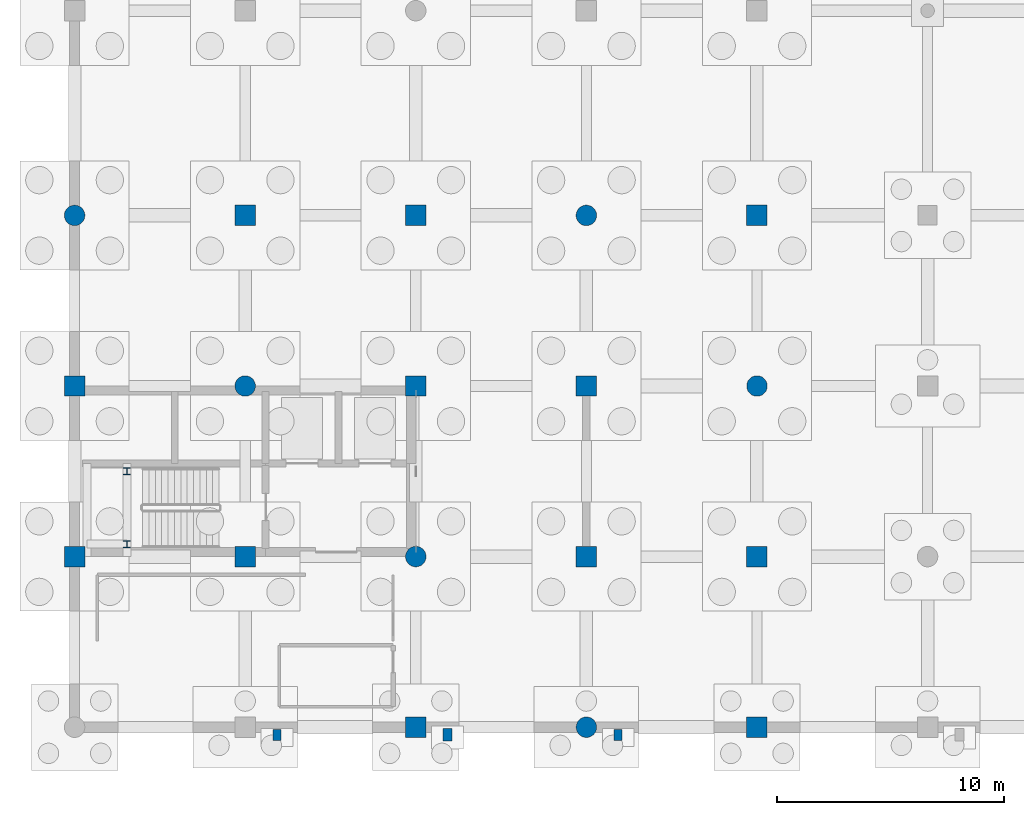
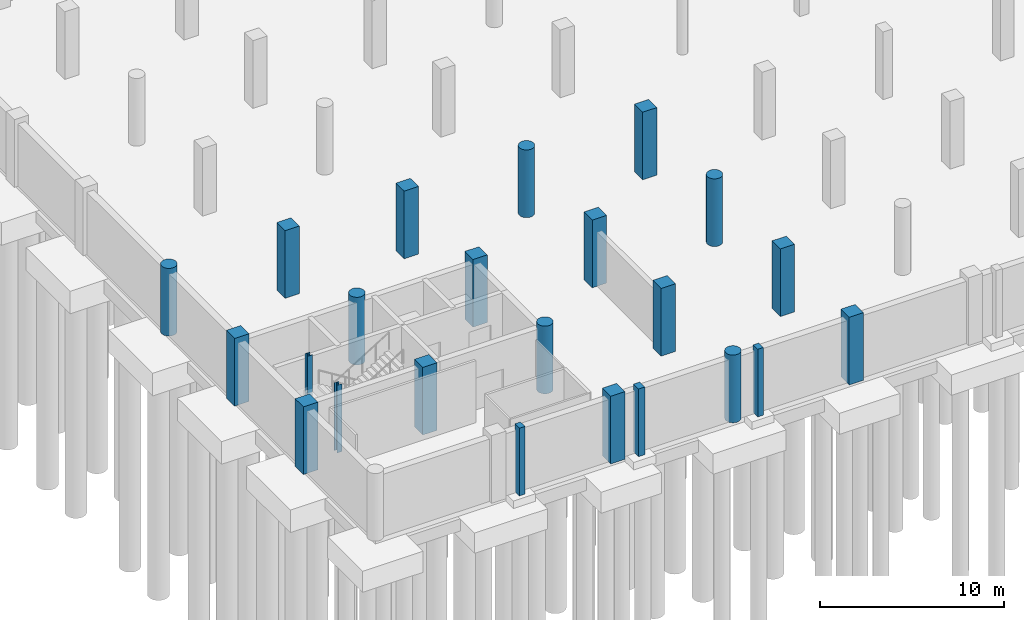
# One storey, part 16 of 42: 23 columns.
"""IFC4 building model written with IfcOpenShell, lengths in metres."""

from ifc_helpers import new_model, si_unit, direction, frame, origin, origin_2d, place, context, subcontext, project, spatial, rectangle, circle, i_section, extrude, material, material_profile, profile_set, type_object, element, save


model = new_model("IFC4")

# Units and contexts
model_context = context("Model", 3, precision=1e-05, world=origin(), true_north=direction((0.0, 1.0)))
body_context = subcontext(model_context, "Body", "Model", "MODEL_VIEW")
ifc_project = project(units=[si_unit("LENGTHUNIT", "METRE"), si_unit("AREAUNIT", "SQUARE_METRE"), si_unit("VOLUMEUNIT", "CUBIC_METRE"), si_unit("PLANEANGLEUNIT", "RADIAN"), si_unit("MASSUNIT", "GRAM", prefix="KILO")], contexts=[model_context])

# Site, building, storey
site_placement = place(None, origin())
site = spatial("IfcSite", under=ifc_project, at=site_placement, CompositionType="ELEMENT")
building_placement = place(site_placement, origin())
building = spatial("IfcBuilding", under=site, at=building_placement, Name="Dalvernix Boulevard General Hospital", CompositionType="ELEMENT")
storey_placement = place(building_placement, frame((0.0, 0.0, -4.5)))
storey = spatial("IfcBuildingStorey", under=building, at=storey_placement, Name="B1", CompositionType="ELEMENT", Elevation=-4.5)

# Columns
ifc_material_1 = material(Name="Concrete C40/50", Category="concrete")
ifc_material_profile_1 = material_profile(ifc_material_1, rectangle(XDim=0.89990234375, YDim=0.89990234375, at=origin_2d()), Name="RC 900x900")
ifc_profile_set_1 = profile_set([ifc_material_profile_1], Name="Concrete C40/50")
column_type_1 = type_object("IfcColumnType", Name="COL-C-01-E", PredefinedType="COLUMN", material=ifc_profile_set_1)
for number, where, z_axis, x_axis, name in (
    (1, (0.0, 7.5, 0.0), (0.0, 0.0, 1.0), (1.0, 0.0, 0.0), "B1 column 1B"),
    (2, (0.0, 15.0, 0.0), (0.0, 0.0, 1.0), (1.0, 0.0, 0.0), "B1 column 1C"),
    (3, (15.0, 0.0, 0.0), (0.0, 0.0, 1.0), (1.0, 0.0, 0.0), "B1 column 3A"),
    (4, (30.0, 0.0, 0.0), (0.0, 0.0, 1.0), (1.0, 0.0, 0.0), "B1 column 5A"),
):
    element("IfcColumn", number, at=place(storey_placement, frame(where, z_axis=z_axis, x_axis=x_axis)), inside=storey, type_object=column_type_1, Name=name, PredefinedType="COLUMN", context=body_context, shape_type="SweptSolid", body=[
        extrude(rectangle(XDim=0.89990234375, YDim=0.89990234375, at=origin_2d()), origin(), (0.0, 0.0, 1.0), 4.5),
    ])
ifc_material_profile_2 = material_profile(ifc_material_1, rectangle(XDim=0.89990234375, YDim=0.89990234375, at=origin_2d()), Name="RC 900x900")
ifc_profile_set_2 = profile_set([ifc_material_profile_2], Name="Concrete C40/50")
column_type_2 = type_object("IfcColumnType", Name="COL-C-01-I", PredefinedType="COLUMN", material=ifc_profile_set_2)
for number, where, z_axis, x_axis, name in (
    (5, (7.5, 7.5, 0.0), (0.0, 0.0, 1.0), (1.0, 0.0, 0.0), "B1 column 2B"),
    (6, (7.5, 22.5, 0.0), (0.0, 0.0, 1.0), (1.0, 0.0, 0.0), "B1 column 2D"),
    (7, (15.0, 15.0, 0.0), (0.0, 0.0, 1.0), (1.0, 0.0, 0.0), "B1 column 3C"),
    (8, (15.0, 22.5, 0.0), (0.0, 0.0, 1.0), (1.0, 0.0, 0.0), "B1 column 3D"),
    (9, (22.5, 7.5, 0.0), (0.0, 0.0, 1.0), (1.0, 0.0, 0.0), "B1 column 4B"),
    (10, (22.5, 15.0, 0.0), (0.0, 0.0, 1.0), (1.0, 0.0, 0.0), "B1 column 4C"),
    (11, (30.0, 7.5, 0.0), (0.0, 0.0, 1.0), (1.0, 0.0, 0.0), "B1 column 5B"),
    (12, (30.0, 22.5, 0.0), (0.0, 0.0, 1.0), (1.0, 0.0, 0.0), "B1 column 5D"),
):
    element("IfcColumn", number, at=place(storey_placement, frame(where, z_axis=z_axis, x_axis=x_axis)), inside=storey, type_object=column_type_2, Name=name, PredefinedType="COLUMN", context=body_context, shape_type="SweptSolid", body=[
        extrude(rectangle(XDim=0.89990234375, YDim=0.89990234375, at=origin_2d()), origin(), (0.0, 0.0, 1.0), 4.5),
    ])
ifc_material_profile_3 = material_profile(ifc_material_1, circle(Radius=0.449951171875, at=origin_2d()), Name="RC D900")
ifc_profile_set_3 = profile_set([ifc_material_profile_3], Name="Concrete C40/50")
column_type_3 = type_object("IfcColumnType", Name="COL-C-13-E", PredefinedType="COLUMN", material=ifc_profile_set_3)
for number, where, z_axis, x_axis, name in (
    (13, (0.0, 22.5, 0.0), (0.0, 0.0, 1.0), (1.0, 0.0, 0.0), "B1 column 1D"),
    (14, (22.5, 0.0, 0.0), (0.0, 0.0, 1.0), (1.0, 0.0, 0.0), "B1 column 4A"),
):
    element("IfcColumn", number, at=place(storey_placement, frame(where, z_axis=z_axis, x_axis=x_axis)), inside=storey, type_object=column_type_3, Name=name, PredefinedType="COLUMN", context=body_context, shape_type="SweptSolid", body=[
        extrude(circle(Radius=0.449951171875, at=origin_2d()), origin(), (0.0, 0.0, 1.0), 4.5),
    ])
ifc_material_profile_4 = material_profile(ifc_material_1, circle(Radius=0.449951171875, at=origin_2d()), Name="RC D900")
ifc_profile_set_4 = profile_set([ifc_material_profile_4], Name="Concrete C40/50")
column_type_4 = type_object("IfcColumnType", Name="COL-C-13-I", PredefinedType="COLUMN", material=ifc_profile_set_4)
for number, where, z_axis, x_axis, name in (
    (15, (7.5, 15.0, 0.0), (0.0, 0.0, 1.0), (1.0, 0.0, 0.0), "B1 column 2C"),
    (16, (15.0, 7.5, 0.0), (0.0, 0.0, 1.0), (1.0, 0.0, 0.0), "B1 column 3B"),
    (17, (22.5, 22.5, 0.0), (0.0, 0.0, 1.0), (1.0, 0.0, 0.0), "B1 column 4D"),
    (18, (30.0, 15.0, 0.0), (0.0, 0.0, 1.0), (1.0, 0.0, 0.0), "B1 column 5C"),
):
    element("IfcColumn", number, at=place(storey_placement, frame(where, z_axis=z_axis, x_axis=x_axis)), inside=storey, type_object=column_type_4, Name=name, PredefinedType="COLUMN", context=body_context, shape_type="SweptSolid", body=[
        extrude(circle(Radius=0.449951171875, at=origin_2d()), origin(), (0.0, 0.0, 1.0), 4.5),
    ])
ifc_material_2 = material(Name="Steel S355", Category="steel")
ifc_material_profile_5 = material_profile(ifc_material_2, i_section(OverallWidth=0.300048828125, OverallDepth=0.300048828125, WebThickness=0.010986328125, FlangeThickness=0.01904296875, FilletRadius=0.027099609375, at=origin_2d()), Name="HEB 300")
ifc_profile_set_5 = profile_set([ifc_material_profile_5], Name="Steel S355")
column_type_5 = type_object("IfcColumnType", Name="COL-C-18", PredefinedType="COLUMN", material=ifc_profile_set_5)
for number, where, z_axis, x_axis, name in (
    (19, (2.300048828125, 8.050048828125, 0.0), (0.0, 0.0, 1.0), (1.0, 0.0, 0.0), "B1 Core C1 stair landing column 1"),
    (20, (2.300048828125, 11.25, 0.0), (0.0, 0.0, 1.0), (1.0, 0.0, 0.0), "B1 Core C1 stair landing column 2"),
):
    element("IfcColumn", number, at=place(storey_placement, frame(where, z_axis=z_axis, x_axis=x_axis)), inside=storey, type_object=column_type_5, Name=name, PredefinedType="COLUMN", context=body_context, shape_type="SweptSolid", body=[
        extrude(i_section(OverallWidth=0.300048828125, OverallDepth=0.300048828125, WebThickness=0.010986328125, FlangeThickness=0.01904296875, FilletRadius=0.027099609375, at=origin_2d()), origin(), (0.0, 0.0, 1.0), 4.5),
    ])
ifc_material_profile_6 = material_profile(ifc_material_1, rectangle(XDim=0.35009765625, YDim=0.5, at=origin_2d()), Name="RC 350x500")
ifc_profile_set_6 = profile_set([ifc_material_profile_6], Name="Concrete C40/50")
column_type_6 = type_object("IfcColumnType", Name="COL-CP-01", PredefinedType="PILASTER", material=ifc_profile_set_6)
for number, where, z_axis, x_axis, name in (
    (21, (8.89990234375, -0.340087890625, 0.0), (0.0, 0.0, 1.0), (1.0, 0.0, 0.0), "B1 boulevard facade pilaster 1"),
    (22, (23.89990234375, -0.340087890625, 0.0), (0.0, 0.0, 1.0), (1.0, 0.0, 0.0), "B1 boulevard facade pilaster 3"),
):
    element("IfcColumn", number, at=place(storey_placement, frame(where, z_axis=z_axis, x_axis=x_axis)), inside=storey, type_object=column_type_6, Name=name, PredefinedType="PILASTER", context=body_context, shape_type="SweptSolid", body=[
        extrude(rectangle(XDim=0.35009765625, YDim=0.5, at=origin_2d()), origin(), (0.0, 0.0, 1.0), 4.5),
    ])
ifc_material_profile_7 = material_profile(ifc_material_1, rectangle(XDim=0.39990234375, YDim=0.550048828125, at=origin_2d()), Name="RC 400x550")
ifc_profile_set_7 = profile_set([ifc_material_profile_7], Name="Concrete C40/50")
column_type_7 = type_object("IfcColumnType", Name="COL-CP-02", PredefinedType="PILASTER", material=ifc_profile_set_7)
column_placement = place(storey_placement, frame((16.39990234375, -0.340087890625, 0.0), z_axis=(0.0, 0.0, 1.0), x_axis=(1.0, 0.0, 0.0)))
element("IfcColumn", 23, at=column_placement, inside=storey, type_object=column_type_7, Name="B1 boulevard facade pilaster 2", PredefinedType="PILASTER", context=body_context, shape_type="SweptSolid", body=[
    extrude(rectangle(XDim=0.39990234375, YDim=0.550048828125, at=origin_2d()), origin(), (0.0, 0.0, 1.0), 4.5),
])

save(model, "model.ifc")
